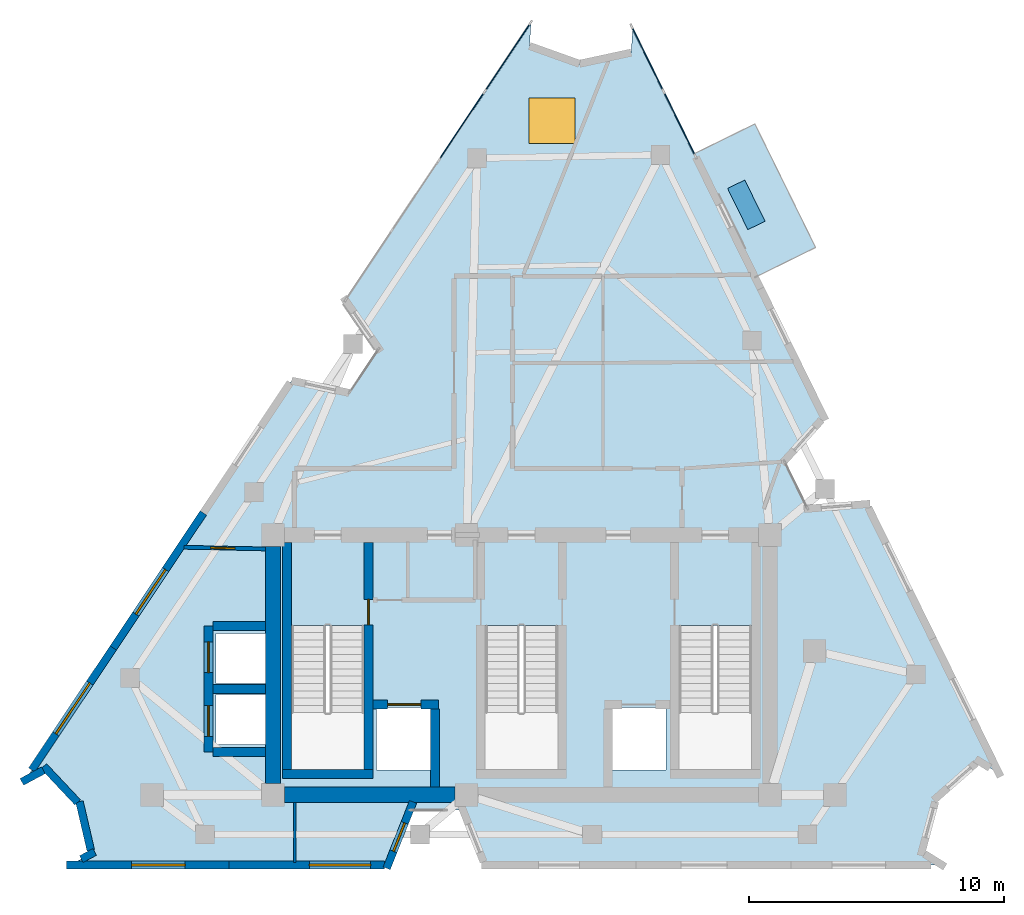
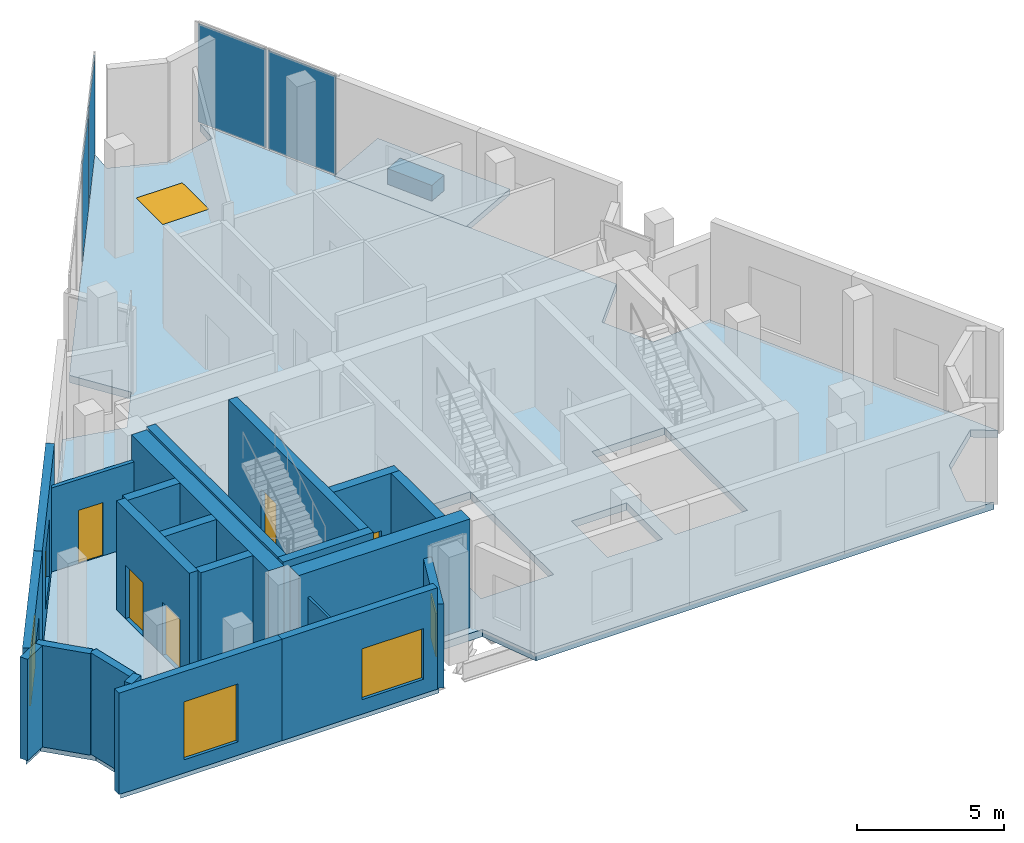
# One storey, part 4 of 8: 22 walls, 6 windows, 5 doors, 5 plates, 2 slabs, 11 openings, 2 elements without a shape of their own.
"""IFC4 building model written with IfcOpenShell, lengths in metres."""

from ifc_helpers import new_model, si_unit, direction, frame, frame_2d, origin, origin_2d, place, context, subcontext, project, spatial, polyline, rectangle, outline, extrude, material, layer, layer_set, type_object, element, fill, aggregate, save


model = new_model("IFC4")

# Units and contexts
model_context = context("Model", 3, precision=1e-05, world=origin(), true_north=direction((0.0, 1.0)))
body_context = subcontext(model_context, "Body", "Model", "MODEL_VIEW")
ifc_project = project(units=[si_unit("LENGTHUNIT", "METRE"), si_unit("AREAUNIT", "SQUARE_METRE"), si_unit("VOLUMEUNIT", "CUBIC_METRE"), si_unit("PLANEANGLEUNIT", "RADIAN"), si_unit("MASSUNIT", "GRAM", prefix="KILO")], contexts=[model_context])

# Site, building, storey
site_placement = place(None, origin())
site = spatial("IfcSite", under=ifc_project, at=site_placement, CompositionType="ELEMENT")
building_placement = place(site_placement, origin())
building = spatial("IfcBuilding", under=site, at=building_placement, Name="Almagre Mirador Tower", CompositionType="ELEMENT")
storey_placement = place(building_placement, frame((0.0, 0.0, 294.0)))
storey = spatial("IfcBuildingStorey", under=building, at=storey_placement, Name="L76", CompositionType="ELEMENT", Elevation=294.0)

# Curtain wall, plates
ifc_material_1 = material(Name="Black anodized aluminium", Category="aluminium")
ifc_layer_1 = layer(ifc_material_1, 0.22998046875)
ifc_layer_set_1 = layer_set([ifc_layer_1], Name="Black anodized aluminium")
curtain_wall_type = type_object("IfcCurtainWallType", Name="CW-SKY-SYS", PredefinedType="NOTDEFINED", material=ifc_layer_set_1)
curtain_wall_1_placement = place(storey_placement, origin())
curtain_wall_1 = element("IfcCurtainWall", 1, at=curtain_wall_1_placement, inside=storey, type_object=curtain_wall_type, Name="L76 curtain wall run 03", PredefinedType="NOTDEFINED")
ifc_material_2 = material(Name="Dark solar-control laminated hurricane glass", Category="glass")
ifc_layer_2 = layer(ifc_material_2, 0.0400390625)
ifc_layer_set_2 = layer_set([ifc_layer_2], Name="Dark solar-control laminated hurricane glass")
plate_type_1 = type_object("IfcPlateType", Name="PLT-GLZ-40", PredefinedType="CURTAIN_PANEL", material=ifc_layer_set_2)
plate_1_placement = place(storey_placement, frame((34.956787109375, 30.795166015625, 0.06494140625), z_axis=(0.0, 0.0, 1.0), x_axis=(0.555210131404, 0.83171011175, 0.0)))
plate_1 = element("IfcPlate", 2, at=plate_1_placement, type_object=plate_type_1, Name="CW-5 panel 1.1", PredefinedType="CURTAIN_PANEL", context=body_context, shape_type="SweptSolid", body=[
    extrude(rectangle(XDim=3.17529296875, YDim=0.0400390625, at=origin_2d()), origin(), (0.0, 0.0, 1.0), 4.070068359375),
])
plate_2_placement = place(storey_placement, frame((36.758544921875, 33.494384765625, 0.06494140625), z_axis=(0.0, 0.0, 1.0), x_axis=(0.555210131404, 0.83171011175, 0.0)))
plate_2 = element("IfcPlate", 3, at=plate_2_placement, type_object=plate_type_1, Name="CW-5 panel 2.1", PredefinedType="CURTAIN_PANEL", context=body_context, shape_type="SweptSolid", body=[
    extrude(rectangle(XDim=3.17529296875, YDim=0.0400390625, at=origin_2d()), origin(), (0.0, 0.0, 1.0), 4.070068359375),
])
aggregate(curtain_wall_1, [plate_1, plate_2])

curtain_wall_2_placement = place(storey_placement, origin())
curtain_wall_2 = element("IfcCurtainWall", 4, at=curtain_wall_2_placement, inside=storey, type_object=curtain_wall_type, Name="L76 curtain wall run 04", PredefinedType="NOTDEFINED")
plate_3_placement = place(storey_placement, frame((42.245849609375, 33.4296875, 0.06494140625), z_axis=(0.0, 0.0, 1.0), x_axis=(0.441275850241, -0.897371508348, 0.0)))
plate_3 = element("IfcPlate", 5, at=plate_3_placement, type_object=plate_type_1, Name="CW-5 panel 1.1", PredefinedType="CURTAIN_PANEL", context=body_context, shape_type="SweptSolid", body=[
    extrude(rectangle(XDim=2.77294921875, YDim=0.0400390625, at=origin_2d()), origin(), (0.0, 0.0, 1.0), 4.070068359375),
])
plate_4_placement = place(storey_placement, frame((43.50048828125, 30.87841796875, 0.06494140625), z_axis=(0.0, 0.0, 1.0), x_axis=(0.441275850241, -0.897371508348, 0.0)))
plate_4 = element("IfcPlate", 6, at=plate_4_placement, type_object=plate_type_1, Name="CW-5 panel 2.1", PredefinedType="CURTAIN_PANEL", context=body_context, shape_type="SweptSolid", body=[
    extrude(rectangle(XDim=2.77294921875, YDim=0.0400390625, at=origin_2d()), origin(), (0.0, 0.0, 1.0), 4.070068359375),
])
aggregate(curtain_wall_2, [plate_3, plate_4])

# Plate
ifc_material_3 = material(Name="Precast concrete C50/60", Category="concrete")
ifc_layer_3 = layer(ifc_material_3, 0.64990234375)
ifc_layer_set_3 = layer_set([ifc_layer_3], Name="Precast concrete C50/60")
plate_type_2 = type_object("IfcPlateType", Name="PLT-PLANTER-1800", PredefinedType="USERDEFINED", material=ifc_layer_set_3)
plate_5_placement = place(storey_placement, frame((46.1220703125, 27.698974609375, 0.0), z_axis=(0.0, 0.0, 1.0), x_axis=(-0.441286598035, 0.897366223119, 0.0)))
element("IfcPlate", 7, at=plate_5_placement, inside=storey, type_object=plate_type_2, Name="L76 east balcony structural tree planter 1", ObjectType="PLANTER", PredefinedType="USERDEFINED", context=body_context, shape_type="SweptSolid", body=[
    extrude(rectangle(XDim=1.800048828125, YDim=0.75, at=origin_2d()), origin(), (0.0, 0.0, 1.0), 0.64990234375),
])

# Slab
ifc_material_4 = material(Name="Concrete C45/55", Category="concrete")
ifc_layer_4 = layer(ifc_material_4, 0.239990234375)
ifc_layer_set_4 = layer_set([ifc_layer_4], Name="Concrete C45/55")
slab_type_1 = type_object("IfcSlabType", Name="SLB-BAL-240", PredefinedType="USERDEFINED", material=ifc_layer_set_4)
slab_1_placement = place(storey_placement, frame((0.0, 0.0, -0.239990234375)))
element("IfcSlab", 8, at=slab_1_placement, inside=storey, type_object=slab_type_1, Name="L76 east planted tree balcony 1", ObjectType="BALCONY", PredefinedType="USERDEFINED", context=body_context, shape_type="SweptSolid", body=[
    extrude(outline(polyline([(46.443115234375, 24.847900390625), (44.06103515625, 29.694091796875), (46.45703125, 30.8720703125), (48.839111328125, 26.027099609375), (46.443115234375, 24.847900390625)])), origin(), (0.0, 0.0, 1.0), 0.239990234375),
])

# Slab, opening, window
ifc_material_5 = material(Name="Concrete C45/55", Category="concrete")
ifc_layer_5 = layer(ifc_material_5, 0.300048828125)
ifc_layer_set_5 = layer_set([ifc_layer_5], Name="Concrete C45/55")
slab_type_2 = type_object("IfcSlabType", Name="SLB-FLR-300", PredefinedType="FLOOR", material=ifc_layer_set_5)
slab_2_placement = place(storey_placement, frame((0.0, 0.0, -0.300048828125)))
slab_2 = element("IfcSlab", 9, at=slab_2_placement, inside=storey, type_object=slab_type_2, Name="L76 structural floor slab", PredefinedType="FLOOR", context=body_context, shape_type="SweptSolid", body=[
    extrude(outline(polyline([(17.821044921875, 5.126953125), (18.654052734375, 5.572021484375), (19.990966796875, 4.14794921875), (20.43310546875, 2.24609375), (19.60009765625, 1.800048828125), (32.06396484375, 1.800048828125), (32.9189453125, 3.949951171875), (35.009033203125, 3.949951171875), (35.864013671875, 1.800048828125), (53.800048828125, 1.800048828125), (52.998046875, 2.299072265625), (53.572021484375, 4.431884765625), (55.23291015625, 5.888916015625), (56.034912109375, 5.388916015625), (50.837890625, 15.95703125), (48.531005859375, 15.77587890625), (47.60888671875, 17.65087890625), (49.160888671875, 19.366943359375), (41.6650390625, 34.611083984375), (41.60302734375, 33.66796875), (39.572998046875, 33.23095703125), (37.616943359375, 33.929931640625), (37.678955078125, 34.873046875), (30.39404296875, 23.9599609375), (31.70703125, 22.054931640625), (30.547119140625, 20.31689453125), (28.283935546875, 20.799072265625), (17.821044921875, 5.126953125)]), holes=[polyline([(43.47509765625, 5.550048828125), (43.47509765625, 11.196044921875), (46.324951171875, 11.196044921875), (46.324951171875, 5.550048828125), (43.47509765625, 5.550048828125)]), polyline([(42.97998046875, 5.52001953125), (40.820068359375, 5.52001953125), (40.820068359375, 7.97998046875), (42.97998046875, 7.97998046875), (42.97998046875, 5.52001953125)]), polyline([(35.875, 5.550048828125), (35.875, 11.196044921875), (38.72509765625, 11.196044921875), (38.72509765625, 5.550048828125), (35.875, 5.550048828125)]), polyline([(33.780029296875, 7.97998046875), (33.780029296875, 5.52001953125), (31.6201171875, 5.52001953125), (31.6201171875, 7.97998046875), (33.780029296875, 7.97998046875)]), polyline([(28.27490234375, 5.550048828125), (28.27490234375, 11.196044921875), (31.125, 11.196044921875), (31.125, 5.550048828125), (28.27490234375, 5.550048828125)]), polyline([(27.3798828125, 6.52001953125), (25.320068359375, 6.52001953125), (25.320068359375, 8.47998046875), (27.3798828125, 8.47998046875), (27.3798828125, 6.52001953125)]), polyline([(27.3798828125, 8.919921875), (25.320068359375, 8.919921875), (25.320068359375, 10.8798828125), (27.3798828125, 10.8798828125), (27.3798828125, 8.919921875)])]), origin(), (0.0, 0.0, 1.0), 0.300048828125),
])
opening_1_placement = place(slab_2_placement, frame((38.5, 31.0, 0.0)))
opening_1 = element("IfcOpeningElement", 10, at=opening_1_placement, cuts=slab_2, Name="Opening SK-01", PredefinedType="OPENING", context=body_context, shape_type="SweptSolid", body=[
    extrude(rectangle(XDim=1.800048828125, YDim=1.800048828125, at=origin_2d()), origin(), (0.0, 0.0, 1.0), 0.300048828125),
])
ifc_material_6 = material(Name="Dark solar-control laminated hurricane glass", Category="glass")
window_type_1 = type_object("IfcWindowType", Name="SKY-1800X1800", PartitioningType="SINGLE_PANEL", PredefinedType="SKYLIGHT", material=ifc_material_6)
window_1_placement = place(opening_1_placement, frame((0.0, 0.0, 0.25)))
window_1 = element("IfcWindow", 11, at=window_1_placement, inside=storey, type_object=window_type_1, Name="L76 atrium lightwell skylight 6", OverallHeight=1.800048828125, OverallWidth=1.800048828125, PartitioningType="SINGLE_PANEL", PredefinedType="SKYLIGHT", context=body_context, shape_type="SweptSolid", body=[
    extrude(rectangle(XDim=1.800048828125, YDim=1.800048828125, at=origin_2d()), origin(), (0.0, 0.0, 1.0), 0.050048828125),
])
fill(opening_1, window_1)

# Wall, opening, window
ifc_material_7 = material(Name="Precast concrete C50/60", Category="concrete")
ifc_layer_6 = layer(ifc_material_7, 0.300048828125)
ifc_layer_set_6 = layer_set([ifc_layer_6], Name="Precast concrete C50/60")
wall_type_1 = type_object("IfcWallType", Name="WAL-EXT-300", PredefinedType="SOLIDWALL", material=ifc_layer_set_6)
wall_1_placement = place(storey_placement, frame((33.047607421875, 4.2734375, 0.0), z_axis=(0.0, 0.0, 1.0), x_axis=(-0.369542065233, -0.929214002275, 0.0)))
wall_1 = element("IfcWall", 12, at=wall_1_placement, inside=storey, type_object=wall_type_1, Name="L76 expressed almagre precast frame wall 19", PredefinedType="SOLIDWALL", context=body_context, shape_type="SweptSolid", body=[
    extrude(rectangle(XDim=2.8017578125, YDim=0.300048828125, at=frame_2d((1.40087890625, 0.0))), origin(), (0.0, 0.0, 1.0), 3.48193359375),
])
opening_2_placement = place(wall_1_placement, frame((0.883056640625, 0.0, 0.800048828125)))
opening_2 = element("IfcOpeningElement", 13, at=opening_2_placement, cuts=wall_1, Name="Opening WN-04", PredefinedType="OPENING", context=body_context, shape_type="SweptSolid", body=[
    extrude(rectangle(XDim=1.199951171875, YDim=1.800048828125, at=frame_2d((0.60009765625, 0.89990234375))), frame((0.0, 0.159902, 0.0), z_axis=(0.0, -1.0, 0.0), x_axis=(1.0, 0.0, 0.0)), (0.0, 0.0, 1.0), 0.320049),
])
ifc_material_8 = material(Name="Dark solar-control laminated hurricane glass", Category="glass")
window_type_2 = type_object("IfcWindowType", Name="WIN-1200X1800", PartitioningType="SINGLE_PANEL", PredefinedType="WINDOW", material=ifc_material_8)
window_2_placement = place(opening_2_placement, origin())
window_2 = element("IfcWindow", 14, at=window_2_placement, inside=storey, type_object=window_type_2, Name="L76 recessed hurricane window L76-MOFF", OverallHeight=1.800048828125, OverallWidth=1.199951171875, PartitioningType="SINGLE_PANEL", PredefinedType="WINDOW", context=body_context, shape_type="SweptSolid", body=[
    extrude(rectangle(XDim=1.199951171875, YDim=1.800048828125, at=frame_2d((0.60009765625, 0.89990234375))), frame((0.0, 0.030029296875, 0.0), z_axis=(0.0, -1.0, 0.0), x_axis=(1.0, 0.0, 0.0)), (0.0, 0.0, 1.0), 0.06005859375),
])
fill(opening_2, window_2)

wall_2_placement = place(storey_placement, frame((31.924072265625, 1.800048828125, 0.0), z_axis=(0.0, 0.0, 1.0), x_axis=(-1.0, 0.0, 0.0)))
wall_2 = element("IfcWall", 15, at=wall_2_placement, inside=storey, type_object=wall_type_1, Name="L76 expressed almagre precast frame wall 20", PredefinedType="SOLIDWALL", context=body_context, shape_type="SweptSolid", body=[
    extrude(rectangle(XDim=6.092041015625, YDim=0.300048828125, at=frame_2d((3.0458984375, 0.0))), origin(), (0.0, 0.0, 1.0), 4.199951171875),
])
opening_3_placement = place(wall_2_placement, frame((0.544921875, 0.0, 0.60009765625)))
opening_3 = element("IfcOpeningElement", 16, at=opening_3_placement, cuts=wall_2, Name="Opening WN-02", PredefinedType="OPENING", context=body_context, shape_type="SweptSolid", body=[
    extrude(rectangle(XDim=2.39990234375, YDim=2.10009765625, at=frame_2d((1.199951171875, 1.050048828125))), frame((0.0, 0.159902, 0.0), z_axis=(0.0, -1.0, 0.0), x_axis=(1.0, 0.0, 0.0)), (0.0, 0.0, 1.0), 0.320049),
])
ifc_material_9 = material(Name="Dark solar-control laminated hurricane glass", Category="glass")
window_type_3 = type_object("IfcWindowType", Name="WIN-2400X2100", PartitioningType="TRIPLE_PANEL_VERTICAL", PredefinedType="WINDOW", material=ifc_material_9)
window_3_placement = place(opening_3_placement, origin())
window_3 = element("IfcWindow", 17, at=window_3_placement, inside=storey, type_object=window_type_3, Name="L76 recessed hurricane window L76-MOFF", OverallHeight=2.10009765625, OverallWidth=2.39990234375, PartitioningType="SINGLE_PANEL", PredefinedType="WINDOW", context=body_context, shape_type="SweptSolid", body=[
    extrude(rectangle(XDim=2.39990234375, YDim=2.10009765625, at=frame_2d((1.199951171875, 1.050048828125))), frame((0.0, 0.030029296875, 0.0), z_axis=(0.0, -1.0, 0.0), x_axis=(1.0, 0.0, 0.0)), (0.0, 0.0, 1.0), 0.06005859375),
])
fill(opening_3, window_3)

wall_3_placement = place(storey_placement, frame((25.83203125, 1.800048828125, 0.0), z_axis=(0.0, 0.0, 1.0), x_axis=(-1.0, 0.0, 0.0)))
wall_3 = element("IfcWall", 18, at=wall_3_placement, inside=storey, type_object=wall_type_1, Name="L76 expressed almagre precast frame wall 21", PredefinedType="SOLIDWALL", context=body_context, shape_type="SweptSolid", body=[
    extrude(rectangle(XDim=6.3720703125, YDim=0.300048828125, at=frame_2d((3.18603515625, 0.0))), origin(), (0.0, 0.0, 1.0), 4.199951171875),
])
opening_4_placement = place(wall_3_placement, frame((1.72509765625, 0.0, 0.550048828125)))
opening_4 = element("IfcOpeningElement", 19, at=opening_4_placement, cuts=wall_3, Name="Opening WN-05", PredefinedType="OPENING", context=body_context, shape_type="SweptSolid", body=[
    extrude(rectangle(XDim=2.10009765625, YDim=2.39990234375, at=frame_2d((1.050048828125, 1.199951171875))), frame((0.0, 0.159902, 0.0), z_axis=(0.0, -1.0, 0.0), x_axis=(1.0, 0.0, 0.0)), (0.0, 0.0, 1.0), 0.320049),
])
ifc_material_10 = material(Name="Dark solar-control laminated hurricane glass", Category="glass")
window_type_4 = type_object("IfcWindowType", Name="WIN-2100X2400", PartitioningType="DOUBLE_PANEL_VERTICAL", PredefinedType="WINDOW", material=ifc_material_10)
window_4_placement = place(opening_4_placement, origin())
window_4 = element("IfcWindow", 20, at=window_4_placement, inside=storey, type_object=window_type_4, Name="L76 recessed hurricane window L76-MPHT", OverallHeight=2.39990234375, OverallWidth=2.10009765625, PartitioningType="SINGLE_PANEL", PredefinedType="WINDOW", context=body_context, shape_type="SweptSolid", body=[
    extrude(rectangle(XDim=2.10009765625, YDim=2.39990234375, at=frame_2d((1.050048828125, 1.199951171875))), frame((0.0, 0.030029296875, 0.0), z_axis=(0.0, -1.0, 0.0), x_axis=(1.0, 0.0, 0.0)), (0.0, 0.0, 1.0), 0.06005859375),
])
fill(opening_4, window_4)

# Walls
wall_4_placement = place(storey_placement, frame((20.031982421875, 2.03125, 0.0), z_axis=(0.0, 0.0, 1.0), x_axis=(0.881601971089, 0.471993606495, 0.0)))
element("IfcWall", 21, at=wall_4_placement, inside=storey, type_object=wall_type_1, Name="L76 expressed almagre precast frame wall 22", PredefinedType="SOLIDWALL", context=body_context, shape_type="SweptSolid", body=[
    extrude(rectangle(XDim=0.5947265625, YDim=0.300048828125, at=frame_2d((0.29736328125, 0.0))), origin(), (0.0, 0.0, 1.0), 4.199951171875),
])
wall_5_placement = place(storey_placement, frame((20.403564453125, 2.37255859375, 0.0), z_axis=(0.0, 0.0, 1.0), x_axis=(-0.226376282289, 0.974039926706, 0.0)))
element("IfcWall", 22, at=wall_5_placement, inside=storey, type_object=wall_type_1, Name="L76 expressed almagre precast frame wall 23", PredefinedType="SOLIDWALL", context=body_context, shape_type="SweptSolid", body=[
    extrude(rectangle(XDim=1.962890625, YDim=0.300048828125, at=frame_2d((0.9814453125, 0.0))), origin(), (0.0, 0.0, 1.0), 4.199951171875),
])
wall_6_placement = place(storey_placement, frame((19.88818359375, 4.25732421875, 0.0), z_axis=(0.0, 0.0, 1.0), x_axis=(-0.684454988333, 0.72905512065, 0.0)))
element("IfcWall", 23, at=wall_6_placement, inside=storey, type_object=wall_type_1, Name="L76 expressed almagre precast frame wall 24", PredefinedType="SOLIDWALL", context=body_context, shape_type="SweptSolid", body=[
    extrude(rectangle(XDim=1.943359375, YDim=0.300048828125, at=frame_2d((0.9716796875, 0.0))), origin(), (0.0, 0.0, 1.0), 4.199951171875),
])
wall_7_placement = place(storey_placement, frame((18.543701171875, 5.51318359375, 0.0), z_axis=(0.0, 0.0, 1.0), x_axis=(-0.881986380724, -0.471274892412, 0.0)))
element("IfcWall", 24, at=wall_7_placement, inside=storey, type_object=wall_type_1, Name="L76 expressed almagre precast frame wall 25", PredefinedType="SOLIDWALL", context=body_context, shape_type="SweptSolid", body=[
    extrude(rectangle(XDim=0.95947265625, YDim=0.300048828125, at=frame_2d((0.479736328125, 0.0))), origin(), (0.0, 0.0, 1.0), 4.199951171875),
])

# Wall, opening, window
wall_8_placement = place(storey_placement, frame((18.087646484375, 5.526123046875, 0.0), z_axis=(0.0, 0.0, 1.0), x_axis=(0.555218981554, 0.831704203742, 0.0)))
wall_8 = element("IfcWall", 25, at=wall_8_placement, inside=storey, type_object=wall_type_1, Name="L76 expressed almagre precast frame wall 26", PredefinedType="SOLIDWALL", context=body_context, shape_type="SweptSolid", body=[
    extrude(rectangle(XDim=5.754638671875, YDim=0.300048828125, at=frame_2d((2.87744140625, 0.0))), origin(), (0.0, 0.0, 1.0), 4.199951171875),
])
opening_5_placement = place(wall_8_placement, frame((1.705078125, 0.0, 0.60009765625)))
opening_5 = element("IfcOpeningElement", 26, at=opening_5_placement, cuts=wall_8, Name="Opening WN-02", PredefinedType="OPENING", context=body_context, shape_type="SweptSolid", body=[
    extrude(rectangle(XDim=2.39990234375, YDim=2.10009765625, at=frame_2d((1.199951171875, 1.050048828125))), frame((0.0, 0.159902, 0.0), z_axis=(0.0, -1.0, 0.0), x_axis=(1.0, 0.0, 0.0)), (0.0, 0.0, 1.0), 0.320049),
])
window_5_placement = place(opening_5_placement, origin())
window_5 = element("IfcWindow", 27, at=window_5_placement, inside=storey, type_object=window_type_3, Name="L76 recessed hurricane window L76-MPHT", OverallHeight=2.10009765625, OverallWidth=2.39990234375, PartitioningType="SINGLE_PANEL", PredefinedType="WINDOW", context=body_context, shape_type="SweptSolid", body=[
    extrude(rectangle(XDim=2.39990234375, YDim=2.10009765625, at=frame_2d((1.199951171875, 1.050048828125))), frame((0.0, 0.030029296875, 0.0), z_axis=(0.0, -1.0, 0.0), x_axis=(1.0, 0.0, 0.0)), (0.0, 0.0, 1.0), 0.06005859375),
])
fill(opening_5, window_5)

wall_9_placement = place(storey_placement, frame((21.28271484375, 10.312255859375, 0.0), z_axis=(0.0, 0.0, 1.0), x_axis=(0.555265721759, 0.831672999586, 0.0)))
wall_9 = element("IfcWall", 28, at=wall_9_placement, inside=storey, type_object=wall_type_1, Name="L76 expressed almagre precast frame wall 27", PredefinedType="SOLIDWALL", context=body_context, shape_type="SweptSolid", body=[
    extrude(rectangle(XDim=6.37451171875, YDim=0.300048828125, at=frame_2d((3.187255859375, 0.0))), origin(), (0.0, 0.0, 1.0), 4.199951171875),
])
opening_6_placement = place(wall_9_placement, frame((1.60009765625, 0.0, 0.550048828125)))
opening_6 = element("IfcOpeningElement", 29, at=opening_6_placement, cuts=wall_9, Name="Opening WN-05", PredefinedType="OPENING", context=body_context, shape_type="SweptSolid", body=[
    extrude(rectangle(XDim=2.10009765625, YDim=2.39990234375, at=frame_2d((1.050048828125, 1.199951171875))), frame((0.0, 0.159902, 0.0), z_axis=(0.0, -1.0, 0.0), x_axis=(1.0, 0.0, 0.0)), (0.0, 0.0, 1.0), 0.320049),
])
window_6_placement = place(opening_6_placement, origin())
window_6 = element("IfcWindow", 30, at=window_6_placement, inside=storey, type_object=window_type_4, Name="L76 recessed hurricane window L76-MPHT", OverallHeight=2.39990234375, OverallWidth=2.10009765625, PartitioningType="SINGLE_PANEL", PredefinedType="WINDOW", context=body_context, shape_type="SweptSolid", body=[
    extrude(rectangle(XDim=2.10009765625, YDim=2.39990234375, at=frame_2d((1.050048828125, 1.199951171875))), frame((0.0, 0.030029296875, 0.0), z_axis=(0.0, -1.0, 0.0), x_axis=(1.0, 0.0, 0.0)), (0.0, 0.0, 1.0), 0.06005859375),
])
fill(opening_6, window_6)

# Wall
ifc_material_11 = material(Name="Gypsum acoustic stud partition", Category="other")
ifc_layer_7 = layer(ifc_material_11, 0.10009765625)
ifc_layer_set_7 = layer_set([ifc_layer_7], Name="Gypsum acoustic stud partition")
wall_type_2 = type_object("IfcWallType", Name="WAL-PRT-100-CLS", PredefinedType="PARTITIONING", material=ifc_layer_set_7)
wall_10_placement = place(storey_placement, frame((28.39990234375, 4.25, 0.0), z_axis=(0.0, 0.0, 1.0), x_axis=(0.0, -1.0, 0.0)))
element("IfcWall", 31, at=wall_10_placement, inside=storey, type_object=wall_type_2, Name="L76 interior partition 014", PredefinedType="PARTITIONING", context=body_context, shape_type="SweptSolid", body=[
    extrude(rectangle(XDim=2.35009765625, YDim=0.10009765625, at=frame_2d((1.175048828125, 0.0))), origin(), (0.0, 0.0, 1.0), 3.47705078125),
])

# Wall, opening, door
ifc_material_12 = material(Name="Gypsum acoustic stud partition", Category="other")
ifc_layer_8 = layer(ifc_material_12, 0.14990234375)
ifc_layer_set_8 = layer_set([ifc_layer_8], Name="Gypsum acoustic stud partition")
wall_type_3 = type_object("IfcWallType", Name="WAL-PRT-150-STD", PredefinedType="PARTITIONING", material=ifc_layer_set_8)
wall_11_placement = place(storey_placement, frame((27.25, 14.199951171875, 0.0), z_axis=(0.0, 0.0, 1.0), x_axis=(-0.999792455685, 0.020372666862, 0.0)))
wall_11 = element("IfcWall", 32, at=wall_11_placement, inside=storey, type_object=wall_type_3, Name="L76 interior partition 022", PredefinedType="PARTITIONING", context=body_context, shape_type="SweptSolid", body=[
    extrude(rectangle(XDim=3.187744140625, YDim=0.14990234375, at=frame_2d((1.59375, 0.0))), origin(), (0.0, 0.0, 1.0), 3.47705078125),
])
opening_7_placement = place(wall_11_placement, frame((1.1953125, 0.0, 0.0)))
opening_7 = element("IfcOpeningElement", 33, at=opening_7_placement, cuts=wall_11, Name="Opening UD-01", PredefinedType="OPENING", context=body_context, shape_type="SweptSolid", body=[
    extrude(rectangle(XDim=0.949951171875, YDim=2.199951171875, at=frame_2d((0.47509765625, 1.10009765625))), frame((0.0, 0.084951, 0.0), z_axis=(0.0, -1.0, 0.0), x_axis=(1.0, 0.0, 0.0)), (0.0, 0.0, 1.0), 0.169902),
])
ifc_material_13 = material(Name="Solid American walnut timber", Category="wood")
door_type_1 = type_object("IfcDoorType", Name="DOR-UNR-950X2200", OperationType="NOTDEFINED", PredefinedType="DOOR", material=ifc_material_13)
door_1_placement = place(opening_7_placement, origin())
door_1 = element("IfcDoor", 34, at=door_1_placement, inside=storey, type_object=door_type_1, Name="DR-2272 L76 interior door L76-MPHT to L76-MGAL", OperationType="SINGLE_SWING_RIGHT", OverallHeight=2.199951171875, OverallWidth=0.949951171875, PredefinedType="DOOR", context=body_context, shape_type="SweptSolid", body=[
    extrude(rectangle(XDim=0.949951171875, YDim=2.199951171875, at=frame_2d((0.47509765625, 1.10009765625))), frame((0.0, 0.02490234375, 0.0), z_axis=(0.0, -1.0, 0.0), x_axis=(1.0, 0.0, 0.0)), (0.0, 0.0, 1.0), 0.050048828125),
])
fill(opening_7, door_1)

# Wall
ifc_material_14 = material(Name="Concrete C60/75", Category="concrete")
ifc_layer_9 = layer(ifc_material_14, 0.35009765625)
ifc_layer_set_9 = layer_set([ifc_layer_9], Name="Concrete C60/75")
wall_type_4 = type_object("IfcWallType", Name="WAL-SHF-350", PredefinedType="SOLIDWALL", material=ifc_layer_set_9)
wall_12_placement = place(storey_placement, frame((28.10009765625, 5.199951171875, 0.0), z_axis=(0.0, 0.0, 1.0), x_axis=(0.0, 1.0, 0.0)))
element("IfcWall", 35, at=wall_12_placement, inside=storey, type_object=wall_type_4, Name="L76 shaft wall ST1-W", PredefinedType="SOLIDWALL", context=body_context, shape_type="SweptSolid", body=[
    extrude(rectangle(XDim=9.25, YDim=0.35009765625, at=frame_2d((4.625, 0.0))), origin(), (0.0, 0.0, 1.0), 4.5),
])

# Wall, opening, door
wall_13_placement = place(storey_placement, frame((31.300048828125, 5.199951171875, 0.0), z_axis=(0.0, 0.0, 1.0), x_axis=(0.0, 1.0, 0.0)))
wall_13 = element("IfcWall", 36, at=wall_13_placement, inside=storey, type_object=wall_type_4, Name="L76 shaft wall ST1-E", PredefinedType="SOLIDWALL", context=body_context, shape_type="SweptSolid", body=[
    extrude(rectangle(XDim=9.25, YDim=0.35009765625, at=frame_2d((4.625, 0.0))), origin(), (0.0, 0.0, 1.0), 4.5),
])
opening_8_placement = place(wall_13_placement, frame((6.02001953125, 0.0, 0.0)))
opening_8 = element("IfcOpeningElement", 37, at=opening_8_placement, cuts=wall_13, Name="Opening FD-01", PredefinedType="OPENING", context=body_context, shape_type="SweptSolid", body=[
    extrude(rectangle(XDim=1.0, YDim=2.14990234375, at=frame_2d((0.5, 1.074951171875))), frame((0.0, 0.185049, 0.0), z_axis=(0.0, -1.0, 0.0), x_axis=(1.0, 0.0, 0.0)), (0.0, 0.0, 1.0), 0.370098),
])
ifc_material_15 = material(Name="Fire-rated hollow steel", Category="steel")
door_type_2 = type_object("IfcDoorType", Name="DOR-FFL-1000X2150", OperationType="NOTDEFINED", PredefinedType="DOOR", material=ifc_material_15)
door_2_placement = place(opening_8_placement, origin())
door_2 = element("IfcDoor", 38, at=door_2_placement, inside=storey, type_object=door_type_2, Name="DR-2262 L76 FFL1-ST1 smokeproof door", OperationType="SINGLE_SWING_RIGHT", OverallHeight=2.14990234375, OverallWidth=1.0, PredefinedType="DOOR", context=body_context, shape_type="SweptSolid", body=[
    extrude(rectangle(XDim=1.0, YDim=2.14990234375, at=frame_2d((0.5, 1.074951171875))), frame((0.0, 0.02490234375, 0.0), z_axis=(0.0, -1.0, 0.0), x_axis=(1.0, 0.0, 0.0)), (0.0, 0.0, 1.0), 0.050048828125),
])
fill(opening_8, door_2)

# Wall
wall_14_placement = place(storey_placement, frame((27.925048828125, 5.375, 0.0), z_axis=(0.0, 0.0, 1.0), x_axis=(1.0, 0.0, 0.0)))
element("IfcWall", 39, at=wall_14_placement, inside=storey, type_object=wall_type_4, Name="L76 shaft wall ST1-S", PredefinedType="SOLIDWALL", context=body_context, shape_type="SweptSolid", body=[
    extrude(rectangle(XDim=3.550048828125, YDim=0.35009765625, at=frame_2d((1.77490234375, 0.0))), origin(), (0.0, 0.0, 1.0), 4.5),
])

# Wall, opening, door
wall_15_placement = place(storey_placement, frame((31.47509765625, 8.10009765625, 0.0), z_axis=(0.0, 0.0, 1.0), x_axis=(1.0, 0.0, 0.0)))
wall_15 = element("IfcWall", 40, at=wall_15_placement, inside=storey, type_object=wall_type_4, Name="L76 shaft wall FSAE1-N", PredefinedType="SOLIDWALL", context=body_context, shape_type="SweptSolid", body=[
    extrude(rectangle(XDim=2.574951171875, YDim=0.35009765625, at=frame_2d((1.28759765625, 0.0))), origin(), (0.0, 0.0, 1.0), 4.5),
])
opening_9_placement = place(wall_15_placement, frame((0.574951171875, 0.0, 0.0)))
opening_9 = element("IfcOpeningElement", 41, at=opening_9_placement, cuts=wall_15, Name="Opening LD-03", PredefinedType="OPENING", context=body_context, shape_type="SweptSolid", body=[
    extrude(rectangle(XDim=1.300048828125, YDim=2.25, at=frame_2d((0.64990234375, 1.125))), frame((0.0, 0.185049, 0.0), z_axis=(0.0, -1.0, 0.0), x_axis=(1.0, 0.0, 0.0)), (0.0, 0.0, 1.0), 0.370098),
])
ifc_material_16 = material(Name="Hollow stainless steel", Category="steel")
door_type_3 = type_object("IfcDoorType", Name="DOR-LD-1300X2250", OperationType="DOUBLE_DOOR_SLIDING", PredefinedType="DOOR", material=ifc_material_16)
door_3_placement = place(opening_9_placement, origin())
door_3 = element("IfcDoor", 42, at=door_3_placement, inside=storey, type_object=door_type_3, Name="DR-2273 L76 FSAE-1 lift landing door", OperationType="DOUBLE_DOOR_SLIDING", OverallHeight=2.25, OverallWidth=1.300048828125, PredefinedType="DOOR", context=body_context, shape_type="SweptSolid", body=[
    extrude(rectangle(XDim=1.300048828125, YDim=2.25, at=frame_2d((0.64990234375, 1.125))), frame((0.0, 0.02490234375, 0.0), z_axis=(0.0, -1.0, 0.0), x_axis=(1.0, 0.0, 0.0)), (0.0, 0.0, 1.0), 0.050048828125),
])
fill(opening_9, door_3)

# Wall
wall_16_placement = place(storey_placement, frame((33.89990234375, 4.85009765625, 0.0), z_axis=(0.0, 0.0, 1.0), x_axis=(0.0, 1.0, 0.0)))
element("IfcWall", 43, at=wall_16_placement, inside=storey, type_object=wall_type_4, Name="L76 shaft wall FSAE1-E", PredefinedType="SOLIDWALL", context=body_context, shape_type="SweptSolid", body=[
    extrude(rectangle(XDim=3.074951171875, YDim=0.35009765625, at=frame_2d((1.53759765625, 0.0))), origin(), (0.0, 0.0, 1.0), 4.5),
])

# Wall, openings, doors
wall_17_placement = place(storey_placement, frame((25.02490234375, 6.22509765625, 0.0), z_axis=(0.0, 0.0, 1.0), x_axis=(0.0, 1.0, 0.0)))
wall_17 = element("IfcWall", 44, at=wall_17_placement, inside=storey, type_object=wall_type_4, Name="L76 shaft wall OL-W", PredefinedType="SOLIDWALL", context=body_context, shape_type="SweptSolid", body=[
    extrude(rectangle(XDim=4.949951171875, YDim=0.35009765625, at=frame_2d((2.47509765625, 0.0))), origin(), (0.0, 0.0, 1.0), 4.5),
])
opening_10_placement = place(wall_17_placement, frame((0.625, 0.0, 0.0)))
opening_10 = element("IfcOpeningElement", 45, at=opening_10_placement, cuts=wall_17, Name="Opening LD-02", PredefinedType="OPENING", context=body_context, shape_type="SweptSolid", body=[
    extrude(rectangle(XDim=1.199951171875, YDim=2.199951171875, at=frame_2d((0.60009765625, 1.10009765625))), frame((0.0, 0.185049, 0.0), z_axis=(0.0, -1.0, 0.0), x_axis=(1.0, 0.0, 0.0)), (0.0, 0.0, 1.0), 0.370098),
])
opening_11_placement = place(wall_17_placement, frame((3.125, 0.0, 0.0)))
opening_11 = element("IfcOpeningElement", 46, at=opening_11_placement, cuts=wall_17, Name="Opening LD-02", PredefinedType="OPENING", context=body_context, shape_type="SweptSolid", body=[
    extrude(rectangle(XDim=1.199951171875, YDim=2.199951171875, at=frame_2d((0.60009765625, 1.10009765625))), frame((0.0, 0.185049, 0.0), z_axis=(0.0, -1.0, 0.0), x_axis=(1.0, 0.0, 0.0)), (0.0, 0.0, 1.0), 0.370098),
])
ifc_material_17 = material(Name="Hollow stainless steel", Category="steel")
door_type_4 = type_object("IfcDoorType", Name="DOR-LD-1200X2200", OperationType="DOUBLE_DOOR_SLIDING", PredefinedType="DOOR", material=ifc_material_17)
door_4_placement = place(opening_10_placement, origin())
door_4 = element("IfcDoor", 47, at=door_4_placement, inside=storey, type_object=door_type_4, Name="DR-2275 L76 OL-1 express shuttle landing door", OperationType="DOUBLE_DOOR_SLIDING", OverallHeight=2.199951171875, OverallWidth=1.199951171875, PredefinedType="DOOR", context=body_context, shape_type="SweptSolid", body=[
    extrude(rectangle(XDim=1.199951171875, YDim=2.199951171875, at=frame_2d((0.60009765625, 1.10009765625))), frame((0.0, 0.02490234375, 0.0), z_axis=(0.0, -1.0, 0.0), x_axis=(1.0, 0.0, 0.0)), (0.0, 0.0, 1.0), 0.050048828125),
])
fill(opening_10, door_4)
door_5_placement = place(opening_11_placement, origin())
door_5 = element("IfcDoor", 48, at=door_5_placement, inside=storey, type_object=door_type_4, Name="DR-2276 L76 OL-2 express shuttle landing door", OperationType="DOUBLE_DOOR_SLIDING", OverallHeight=2.199951171875, OverallWidth=1.199951171875, PredefinedType="DOOR", context=body_context, shape_type="SweptSolid", body=[
    extrude(rectangle(XDim=1.199951171875, YDim=2.199951171875, at=frame_2d((0.60009765625, 1.10009765625))), frame((0.0, 0.02490234375, 0.0), z_axis=(0.0, -1.0, 0.0), x_axis=(1.0, 0.0, 0.0)), (0.0, 0.0, 1.0), 0.050048828125),
])
fill(opening_11, door_5)

# Walls
for number, where, z_axis, x_axis, name in (
    (49, (25.199951171875, 6.22509765625, 0.0), (0.0, 0.0, 1.0), (1.0, 0.0, 0.0), "L76 shaft wall OL-S"),
    (50, (25.199951171875, 8.699951171875, 0.0), (0.0, 0.0, 1.0), (1.0, 0.0, 0.0), "L76 shaft wall OL-M"),
    (51, (25.199951171875, 11.175048828125, 0.0), (0.0, 0.0, 1.0), (1.0, 0.0, 0.0), "L76 shaft wall OL-N"),
):
    element("IfcWall", number, at=place(storey_placement, frame(where, z_axis=z_axis, x_axis=x_axis)), inside=storey, type_object=wall_type_4, Name=name, PredefinedType="SOLIDWALL", context=body_context, shape_type="SweptSolid", body=[
        extrude(rectangle(XDim=2.050048828125, YDim=0.35009765625, at=frame_2d((1.02490234375, 0.0))), origin(), (0.0, 0.0, 1.0), 4.5),
    ])
ifc_material_18 = material(Name="Concrete C60/75", Category="concrete")
ifc_layer_10 = layer(ifc_material_18, 0.60009765625)
ifc_layer_set_10 = layer_set([ifc_layer_10], Name="Concrete C60/75")
wall_type_5 = type_object("IfcWallType", Name="WAL-SHR-600", PredefinedType="SHEAR", material=ifc_layer_set_10)
wall_18_placement = place(storey_placement, frame((28.0, 4.550048828125, 0.0), z_axis=(0.0, 0.0, 1.0), x_axis=(1.0, 0.0, 0.0)))
element("IfcWall", 52, at=wall_18_placement, inside=storey, type_object=wall_type_5, Name="L76 core shear wall S1", PredefinedType="SHEAR", context=body_context, shape_type="SweptSolid", body=[
    extrude(rectangle(XDim=6.699951171875, YDim=0.60009765625, at=frame_2d((3.35009765625, 0.0))), origin(), (0.0, 0.0, 1.0), 4.5),
])
wall_19_placement = place(storey_placement, frame((27.550048828125, 5.0, 0.0), z_axis=(0.0, 0.0, 1.0), x_axis=(0.0, 1.0, 0.0)))
element("IfcWall", 53, at=wall_19_placement, inside=storey, type_object=wall_type_5, Name="L76 core shear wall W1", PredefinedType="SHEAR", context=body_context, shape_type="SweptSolid", body=[
    extrude(rectangle(XDim=9.300048828125, YDim=0.60009765625, at=frame_2d((4.64990234375, 0.0))), origin(), (0.0, 0.0, 1.0), 4.5),
])

save(model, "model.ifc")
